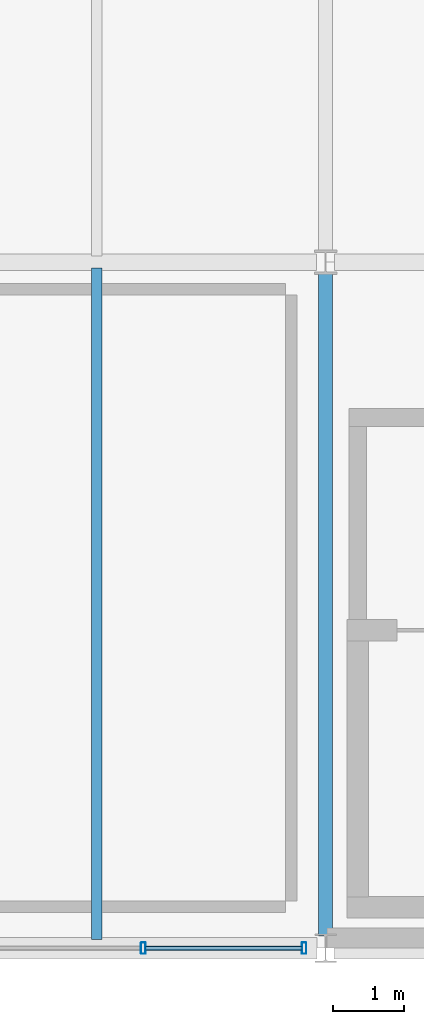
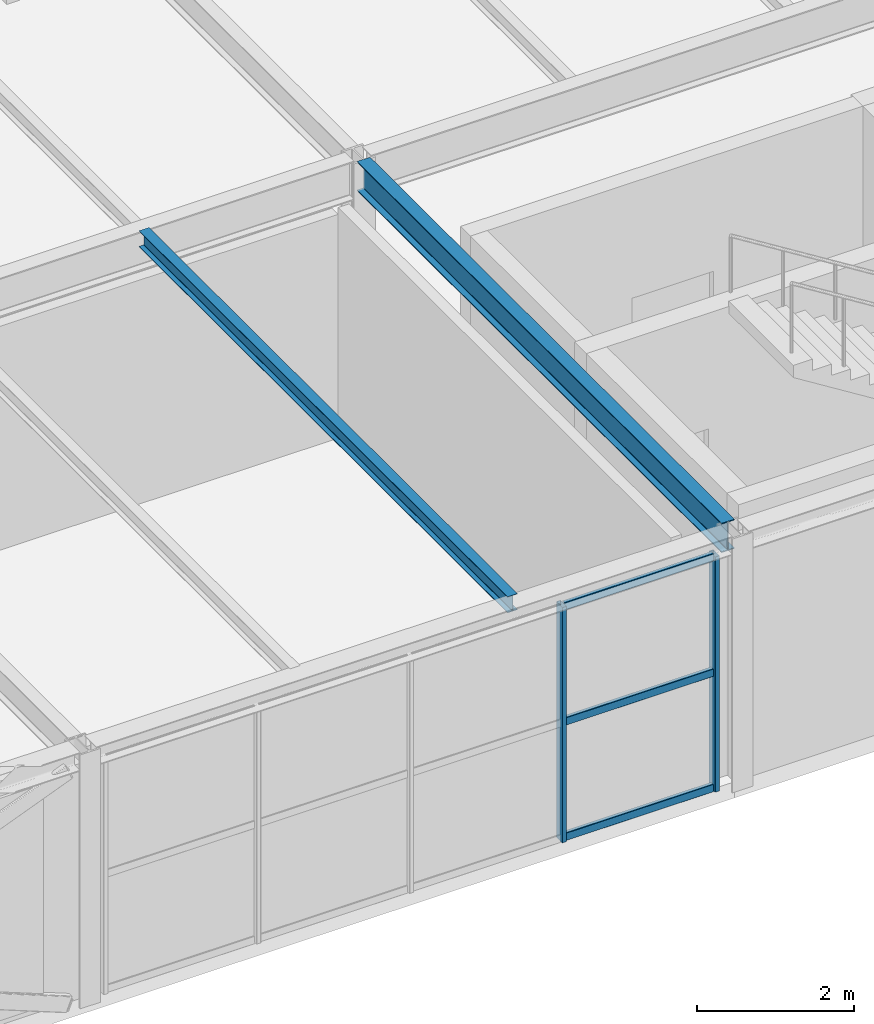
# One storey, part 13 of 126: 5 members, 2 beams, 1 element without a shape of its own.
"""IFC4 building model written with IfcOpenShell, lengths in metres."""

from ifc_helpers import new_model, si_unit, direction, frame, origin, origin_2d, place, context, subcontext, project, spatial, hollow_rectangle, i_section, extrude, material, material_profile, profile_set, type_object, element, aggregate, save


model = new_model("IFC4")

# Units and contexts
model_context = context("Model", 3, precision=1e-05, world=origin(), true_north=direction((0.0, 1.0)))
body_context = subcontext(model_context, "Body", "Model", "MODEL_VIEW")
ifc_project = project(units=[si_unit("LENGTHUNIT", "METRE"), si_unit("AREAUNIT", "SQUARE_METRE"), si_unit("VOLUMEUNIT", "CUBIC_METRE"), si_unit("PLANEANGLEUNIT", "RADIAN"), si_unit("MASSUNIT", "GRAM", prefix="KILO")], contexts=[model_context])

# Site, building, storey
site_placement = place(None, origin())
site = spatial("IfcSite", under=ifc_project, at=site_placement, CompositionType="ELEMENT")
building_placement = place(site_placement, origin())
building = spatial("IfcBuilding", under=site, at=building_placement, Name="Coralgate Yard Interchange", CompositionType="ELEMENT")
storey_placement = place(building_placement, frame((0.0, 0.0, 10.5)))
storey = spatial("IfcBuildingStorey", under=building, at=storey_placement, Name="L02", CompositionType="ELEMENT", Elevation=10.5)

# Beams
ifc_material_1 = material(Name="Structural steel S355J2", Category="steel")
ifc_material_profile_1 = material_profile(ifc_material_1, i_section(OverallWidth=0.1904296875, OverallDepth=0.45703125, WebThickness=0.009033203125, FlangeThickness=0.014404296875, FilletRadius=0.01025390625, at=origin_2d()), Name="UB 457x191x74")
ifc_profile_set_1 = profile_set([ifc_material_profile_1], Name="Structural steel S355J2")
beam_type_1 = type_object("IfcBeamType", Name="BM-SB-2", PredefinedType="BEAM", material=ifc_profile_set_1)
beam_1_placement = place(storey_placement, frame((19.199951171875, 0.169921875, 3.721435546875), z_axis=(0.0, 1.0, 0.0), x_axis=(-1.0, 0.0, 0.0)))
element("IfcBeam", 1, at=beam_1_placement, inside=storey, type_object=beam_type_1, Name="L02 primary grid girder X2 Y0-1", PredefinedType="BEAM", context=body_context, shape_type="SweptSolid", body=[
    extrude(i_section(OverallWidth=0.1904296875, OverallDepth=0.45703125, WebThickness=0.009033203125, FlangeThickness=0.014404296875, FilletRadius=0.01025390625, at=origin_2d()), origin(), (0.0, 0.0, 1.0), 9.2900390625),
])
ifc_material_profile_2 = material_profile(ifc_material_1, i_section(OverallWidth=0.14599609375, OverallDepth=0.25146484375, WebThickness=0.006103515625, FlangeThickness=0.008544921875, FilletRadius=0.007568359375, at=origin_2d()), Name="UB 254x146x31")
ifc_profile_set_2 = profile_set([ifc_material_profile_2], Name="Structural steel S355J2")
beam_type_2 = type_object("IfcBeamType", Name="BM-SJ-2", PredefinedType="JOIST", material=ifc_profile_set_2)
beam_2_placement = place(storey_placement, frame((16.0, 0.1201171875, 3.82421875), z_axis=(0.0, 1.0, 0.0), x_axis=(-1.0, 0.0, 0.0)))
element("IfcBeam", 2, at=beam_2_placement, inside=storey, type_object=beam_type_2, Name="L02 composite floor joist 1-0-2", PredefinedType="JOIST", context=body_context, shape_type="SweptSolid", body=[
    extrude(i_section(OverallWidth=0.14599609375, OverallDepth=0.25146484375, WebThickness=0.006103515625, FlangeThickness=0.008544921875, FilletRadius=0.007568359375, at=origin_2d()), origin(), (0.0, 0.0, 1.0), 9.395751953125),
])

# Curtain wall, members
ifc_material_2 = material(Name="Anodised coastal aluminium and solar-control low-E glass", Category="aluminium")
curtain_wall_type = type_object("IfcCurtainWallType", Name="CW-CW-L02-A", PredefinedType="NOTDEFINED", material=ifc_material_2)
curtain_wall_placement = place(storey_placement, origin())
curtain_wall = element("IfcCurtainWall", 3, at=curtain_wall_placement, inside=storey, type_object=curtain_wall_type, Name="L02 unitised curtain wall CW-L02-S-01-00", PredefinedType="NOTDEFINED")
ifc_material_3 = material(Name="Anodised coastal aluminium 6063-T6", Category="aluminium")
ifc_material_profile_3 = material_profile(ifc_material_3, hollow_rectangle(XDim=0.06494140625, YDim=0.159912109375, WallThickness=0.00390625, InnerFilletRadius=0.00390625, OuterFilletRadius=0.008056640625, at=origin_2d()), Name="ALU 65x160x4")
ifc_profile_set_3 = profile_set([ifc_material_profile_3], Name="Anodised coastal aluminium 6063-T6")
member_type_1 = type_object("IfcMemberType", Name="MB-MUL-160", PredefinedType="MULLION", material=ifc_profile_set_3)
member_1_placement = place(storey_placement, frame((18.89990234375, 0.0, 0.0), z_axis=(0.0, 0.0, 1.0), x_axis=(1.0, 0.0, 0.0)))
member_1 = element("IfcMember", 4, at=member_1_placement, type_object=member_type_1, Name="CW-L02-S-01-00 vertical mullion 1", PredefinedType="MULLION", context=body_context, shape_type="SweptSolid", body=[
    extrude(hollow_rectangle(XDim=0.06494140625, YDim=0.159912109375, WallThickness=0.00390625, InnerFilletRadius=0.00390625, OuterFilletRadius=0.008056640625, at=origin_2d()), origin(), (0.0, 0.0, 1.0), 3.659912109375),
])
member_2_placement = place(storey_placement, frame((16.64990234375, 0.0, 0.0), z_axis=(0.0, 0.0, 1.0), x_axis=(1.0, 0.0, 0.0)))
member_2 = element("IfcMember", 5, at=member_2_placement, type_object=member_type_1, Name="CW-L02-S-01-00 vertical mullion 2", PredefinedType="MULLION", context=body_context, shape_type="SweptSolid", body=[
    extrude(hollow_rectangle(XDim=0.06494140625, YDim=0.159912109375, WallThickness=0.00390625, InnerFilletRadius=0.00390625, OuterFilletRadius=0.008056640625, at=origin_2d()), origin(), (0.0, 0.0, 1.0), 3.659912109375),
])
ifc_material_profile_4 = material_profile(ifc_material_3, hollow_rectangle(XDim=0.06005859375, YDim=0.1201171875, WallThickness=0.00341796875, InnerFilletRadius=0.00341796875, OuterFilletRadius=0.007080078125, at=origin_2d()), Name="ALU 60x120x3.5")
ifc_profile_set_4 = profile_set([ifc_material_profile_4], Name="Anodised coastal aluminium 6063-T6")
member_type_2 = type_object("IfcMemberType", Name="MB-TRN-120", PredefinedType="USERDEFINED", material=ifc_profile_set_4)
member_3_placement = place(storey_placement, frame((18.8701171875, 0.0, 0.034912109375), z_axis=(-1.0, 0.0, 0.0), x_axis=(0.0, -1.0, 0.0)))
member_3 = element("IfcMember", 6, at=member_3_placement, type_object=member_type_2, Name="CW-L02-S-01-00 horizontal transom 1-1", ObjectType="TRANSOM", PredefinedType="USERDEFINED", context=body_context, shape_type="SweptSolid", body=[
    extrude(hollow_rectangle(XDim=0.06005859375, YDim=0.1201171875, WallThickness=0.00341796875, InnerFilletRadius=0.00341796875, OuterFilletRadius=0.007080078125, at=origin_2d()), origin(), (0.0, 0.0, 1.0), 2.190185546875),
])
member_4_placement = place(storey_placement, frame((18.8701171875, 0.0, 1.830078125), z_axis=(-1.0, 0.0, 0.0), x_axis=(0.0, -1.0, 0.0)))
member_4 = element("IfcMember", 7, at=member_4_placement, type_object=member_type_2, Name="CW-L02-S-01-00 horizontal transom 1-2", ObjectType="TRANSOM", PredefinedType="USERDEFINED", context=body_context, shape_type="SweptSolid", body=[
    extrude(hollow_rectangle(XDim=0.06005859375, YDim=0.1201171875, WallThickness=0.00341796875, InnerFilletRadius=0.00341796875, OuterFilletRadius=0.007080078125, at=origin_2d()), origin(), (0.0, 0.0, 1.0), 2.190185546875),
])
member_5_placement = place(storey_placement, frame((18.8701171875, 0.0, 3.625), z_axis=(-1.0, 0.0, 0.0), x_axis=(0.0, -1.0, 0.0)))
member_5 = element("IfcMember", 8, at=member_5_placement, type_object=member_type_2, Name="CW-L02-S-01-00 horizontal transom 1-3", ObjectType="TRANSOM", PredefinedType="USERDEFINED", context=body_context, shape_type="SweptSolid", body=[
    extrude(hollow_rectangle(XDim=0.06005859375, YDim=0.1201171875, WallThickness=0.00341796875, InnerFilletRadius=0.00341796875, OuterFilletRadius=0.007080078125, at=origin_2d()), origin(), (0.0, 0.0, 1.0), 2.190185546875),
])
aggregate(curtain_wall, [member_1, member_2, member_3, member_4, member_5])

save(model, "model.ifc")
